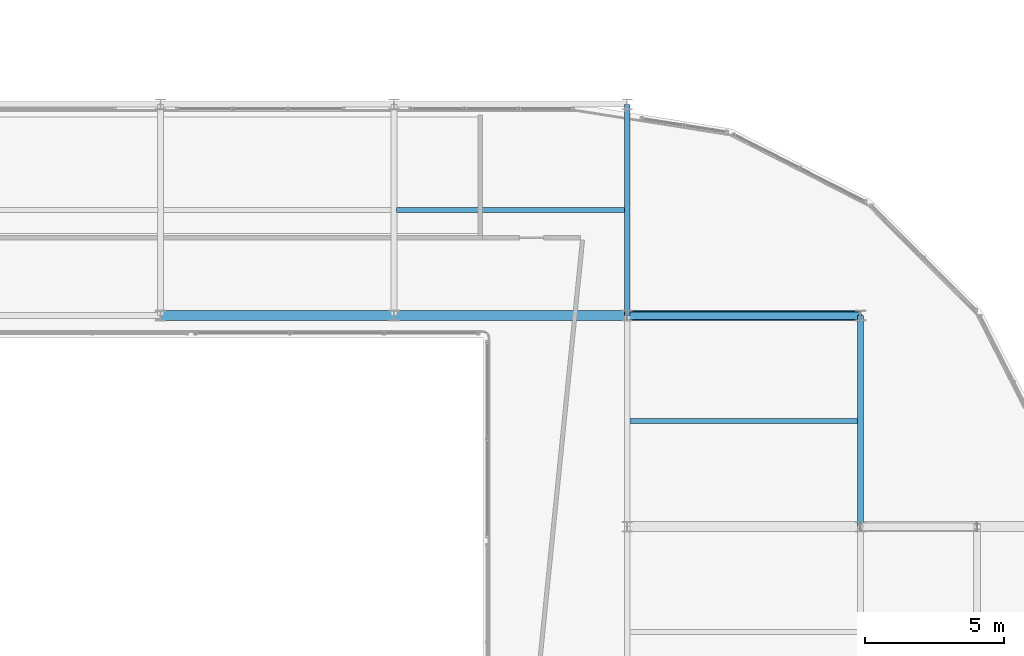
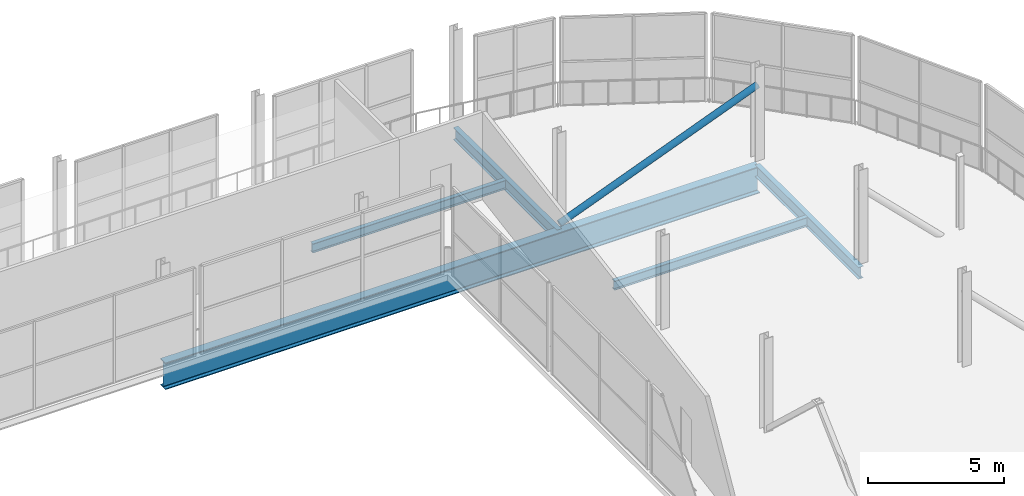
# One storey, part 156 of 217: 5 beams, 1 member.
"""IFC4 building model written with IfcOpenShell, lengths in metres."""

from ifc_helpers import new_model, si_unit, direction, frame, origin, origin_2d, place, context, subcontext, project, spatial, hollow_circle, i_section, extrude, material, material_profile, profile_set, type_object, element, save


model = new_model("IFC4")

# Units and contexts
model_context = context("Model", 3, precision=1e-05, world=origin(), true_north=direction((0.0, 1.0)))
body_context = subcontext(model_context, "Body", "Model", "MODEL_VIEW")
ifc_project = project(units=[si_unit("LENGTHUNIT", "METRE"), si_unit("AREAUNIT", "SQUARE_METRE"), si_unit("VOLUMEUNIT", "CUBIC_METRE"), si_unit("PLANEANGLEUNIT", "RADIAN"), si_unit("MASSUNIT", "GRAM", prefix="KILO")], contexts=[model_context])

# Site, building, storey
site_placement = place(None, origin())
site = spatial("IfcSite", under=ifc_project, at=site_placement, CompositionType="ELEMENT")
building_placement = place(site_placement, origin())
building = spatial("IfcBuilding", under=site, at=building_placement, Name="Zuvorla Pavilion Media Centre", CompositionType="ELEMENT")
storey_placement = place(building_placement, frame((0.0, 0.0, 9.60009765625)))
storey = spatial("IfcBuildingStorey", under=building, at=storey_placement, Name="L02", CompositionType="ELEMENT", Elevation=9.60009765625)

# Beams
ifc_material = material(Name="Steel S355", Category="steel")
ifc_material_profile_1 = material_profile(ifc_material, i_section(OverallWidth=0.360107421875, OverallDepth=1.199951171875, WebThickness=0.02001953125, FlangeThickness=0.0380859375, FilletRadius=0.02392578125, at=origin_2d()), Name="PG 1200x360x38")
ifc_profile_set_1 = profile_set([ifc_material_profile_1], Name="Steel S355")
beam_type_1 = type_object("IfcBeamType", Name="BM-PG1200", PredefinedType="BEAM", material=ifc_profile_set_1)
beam_1_placement = place(storey_placement, frame((142.39990234375, 82.0, -0.8681640625), z_axis=(1.0, 0.0, 0.0), x_axis=(0.0, 1.0, 0.0)))
element("IfcBeam", 1, at=beam_1_placement, inside=storey, type_object=beam_type_1, Name="L02 beam B01 1664", PredefinedType="BEAM", context=body_context, shape_type="SweptSolid", body=[
    extrude(i_section(OverallWidth=0.360107421875, OverallDepth=1.199951171875, WebThickness=0.02001953125, FlangeThickness=0.0380859375, FilletRadius=0.02392578125, at=origin_2d()), origin(), (0.0, 0.0, 1.0), 25.2001953125),
])
ifc_material_profile_2 = material_profile(ifc_material, i_section(OverallWidth=0.1787109375, OverallDepth=0.409423828125, WebThickness=0.0087890625, FlangeThickness=0.014404296875, FilletRadius=0.01025390625, at=origin_2d()), Name="UB 406x178x67")
ifc_profile_set_2 = profile_set([ifc_material_profile_2], Name="Steel S355")
beam_type_2 = type_object("IfcBeamType", Name="BM-UB406", PredefinedType="JOIST", material=ifc_profile_set_2)
beam_2_placement = place(storey_placement, frame((150.89990234375, 85.800048828125, -0.472900390625), z_axis=(1.0, 0.0, 0.0), x_axis=(0.0, 1.0, 0.0)))
element("IfcBeam", 2, at=beam_2_placement, inside=storey, type_object=beam_type_2, Name="L02 joist J02 1041", PredefinedType="JOIST", context=body_context, shape_type="SweptSolid", body=[
    extrude(i_section(OverallWidth=0.1787109375, OverallDepth=0.409423828125, WebThickness=0.0087890625, FlangeThickness=0.014404296875, FilletRadius=0.01025390625, at=origin_2d()), origin(), (0.0, 0.0, 1.0), 8.2001953125),
])
beam_3_placement = place(storey_placement, frame((159.300048828125, 78.199951171875, -0.472900390625), z_axis=(1.0, 0.0, 0.0), x_axis=(0.0, 1.0, 0.0)))
element("IfcBeam", 3, at=beam_3_placement, inside=storey, type_object=beam_type_2, Name="L02 joist J02 1045", PredefinedType="JOIST", context=body_context, shape_type="SweptSolid", body=[
    extrude(i_section(OverallWidth=0.1787109375, OverallDepth=0.409423828125, WebThickness=0.0087890625, FlangeThickness=0.014404296875, FilletRadius=0.01025390625, at=origin_2d()), origin(), (0.0, 0.0, 1.0), 8.199951171875),
])
ifc_material_profile_3 = material_profile(ifc_material, i_section(OverallWidth=0.2099609375, OverallDepth=0.53662109375, WebThickness=0.0107421875, FlangeThickness=0.017333984375, FilletRadius=0.0126953125, at=origin_2d()), Name="UB 533x210x101")
ifc_profile_set_3 = profile_set([ifc_material_profile_3], Name="Steel S355")
beam_type_3 = type_object("IfcBeamType", Name="BM-UB533", PredefinedType="BEAM", material=ifc_profile_set_3)
for number, where, z_axis, x_axis, name in (
    (4, (159.199951171875, 82.0, -0.536376953125), (0.0, 1.0, 0.0), (-1.0, 0.0, 0.0), "L02 beam B08 976"),
    (5, (167.60009765625, 74.39990234375, -0.536376953125), (0.0, 1.0, 0.0), (-1.0, 0.0, 0.0), "L02 beam B08 980"),
):
    element("IfcBeam", number, at=place(storey_placement, frame(where, z_axis=z_axis, x_axis=x_axis)), inside=storey, type_object=beam_type_3, Name=name, PredefinedType="BEAM", context=body_context, shape_type="SweptSolid", body=[
        extrude(i_section(OverallWidth=0.2099609375, OverallDepth=0.53662109375, WebThickness=0.0107421875, FlangeThickness=0.017333984375, FilletRadius=0.0126953125, at=origin_2d()), origin(), (0.0, 0.0, 1.0), 7.60009765625),
    ])

# Member
ifc_material_profile_4 = material_profile(ifc_material, hollow_circle(Radius=0.136474609375, WallThickness=0.012451171875, at=origin_2d()), Name="CHS 273x12.5")
ifc_profile_set_4 = profile_set([ifc_material_profile_4], Name="Steel S355")
member_type = type_object("IfcMemberType", Name="MEM-BRC-CHS273", PredefinedType="BRACE", material=ifc_profile_set_4)
member_placement = place(storey_placement, frame((159.199951171875, 82.0, 0.0), z_axis=(0.931514541354, 0.0, 0.363704081976), x_axis=(0.0, 1.0, 0.0)))
element("IfcMember", 6, at=member_placement, inside=storey, type_object=member_type, Name="L02 diagonal brace TB01 28", PredefinedType="BRACE", context=body_context, shape_type="SweptSolid", body=[
    extrude(hollow_circle(Radius=0.136474609375, WallThickness=0.012451171875, at=origin_2d()), origin(), (0.0, 0.0, 1.0), 9.017822265625),
])

save(model, "model.ifc")
